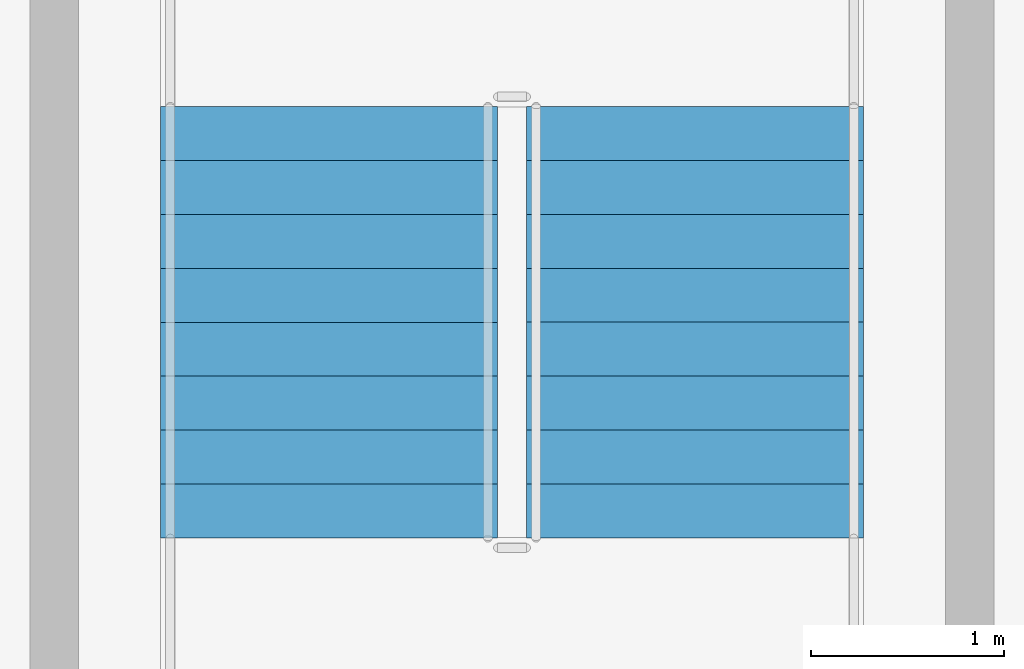
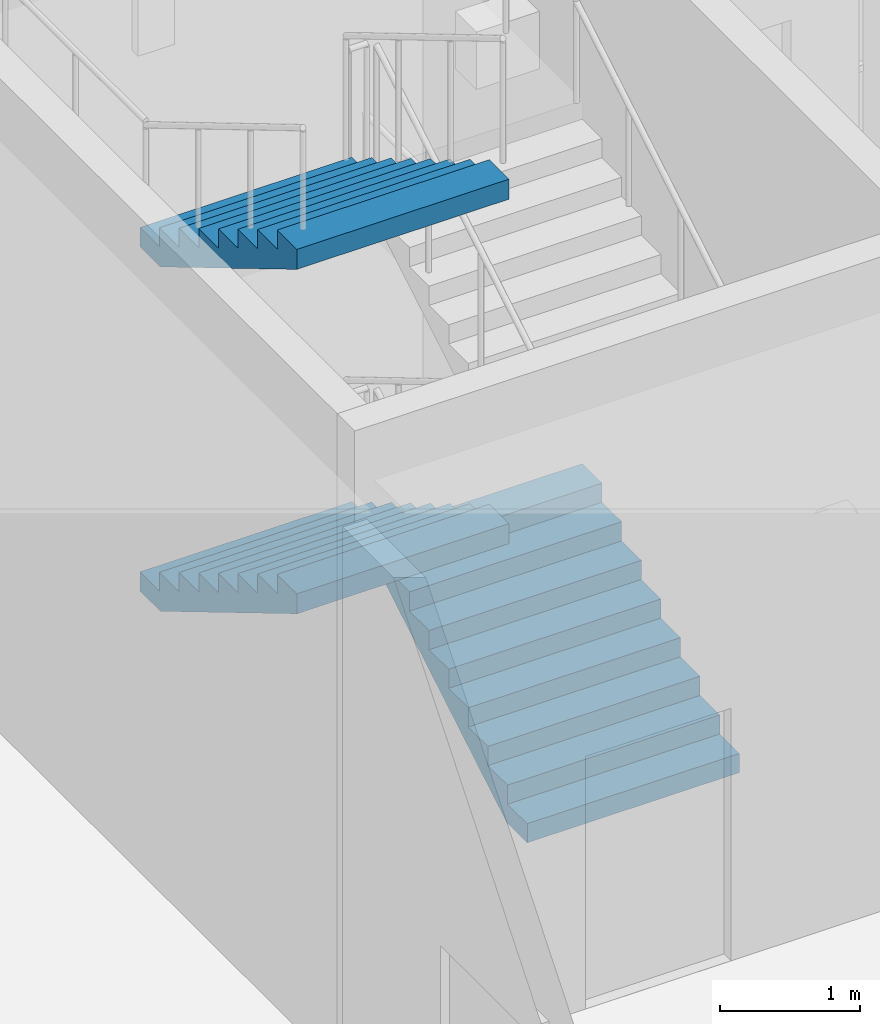
# One storey, part 70 of 125: 3 stair flights, 1 element without a shape of its own.
"""IFC4 building model written with IfcOpenShell, lengths in metres."""

from ifc_helpers import new_model, si_unit, direction, frame, origin, place, context, subcontext, project, spatial, polyline, outline, extrude, material, type_object, element, aggregate, save


model = new_model("IFC4")

# Units and contexts
model_context = context("Model", 3, precision=1e-05, world=origin(), true_north=direction((0.0, 1.0)))
body_context = subcontext(model_context, "Body", "Model", "MODEL_VIEW")
ifc_project = project(units=[si_unit("LENGTHUNIT", "METRE"), si_unit("AREAUNIT", "SQUARE_METRE"), si_unit("VOLUMEUNIT", "CUBIC_METRE"), si_unit("PLANEANGLEUNIT", "RADIAN"), si_unit("MASSUNIT", "GRAM", prefix="KILO")], contexts=[model_context])

# Site, building, storey
site_placement = place(None, origin())
site = spatial("IfcSite", under=ifc_project, at=site_placement, CompositionType="ELEMENT")
building_placement = place(site_placement, origin())
building = spatial("IfcBuilding", under=site, at=building_placement, Name="Sun Court Science Centre", CompositionType="ELEMENT")
storey_placement = place(building_placement, origin())
storey = spatial("IfcBuildingStorey", under=building, at=storey_placement, Name="L00", CompositionType="ELEMENT", Elevation=0.0)

# Stair, stair flights
ifc_material_1 = material(Name="Concrete C25/30", Category="concrete")
stair_type = type_object("IfcStairType", Name="Stair 1500 enclosed half-turn", PredefinedType="HALF_TURN_STAIR", material=ifc_material_1)
stair_placement = place(storey_placement, origin())
stair = element("IfcStair", 1, at=stair_placement, inside=storey, type_object=stair_type, Name="L00 Stair SL4", PredefinedType="HALF_TURN_STAIR")
ifc_material_2 = material(Name="Concrete C25/30", Category="concrete")
stair_flight_type = type_object("IfcStairFlightType", Name="Stair flight 1500 with waist", PredefinedType="STRAIGHT", material=ifc_material_2)
stair_flight_1_placement = place(storey_placement, frame((85.448974609375, 75.498046875, 0.0), z_axis=(0.0, 0.0, 1.0), x_axis=(0.0, 1.0, 0.0)))
stair_flight_1 = element("IfcStairFlight", 2, at=stair_flight_1_placement, type_object=stair_flight_type, Name="SL4 flight 1", NumberOfRisers=9, NumberOfTreads=8, PredefinedType="STRAIGHT", RiserHeight=0.166666667, TreadLength=0.28, context=body_context, shape_type="SweptSolid", body=[
    extrude(outline(polyline([(0.0, 0.0), (0.0, 0.00244140625), (0.0, 0.0048828125), (0.0, 0.00732421875), (0.0, 0.009765625), (0.0, 0.01220703125), (0.0, 0.0146484375), (0.0, 0.01708984375), (0.0, 0.01953125), (0.0, 0.02197265625), (0.0, 0.0244140625), (0.0, 0.02685546875), (0.0, 0.029296875), (0.0, 0.03173828125), (0.0, 0.0341796875), (0.0, 0.03662109375), (0.0, 0.0390625), (0.0, 0.04150390625), (0.0, 0.0439453125), (0.0, 0.04638671875), (0.0, 0.048828125), (0.0, 0.05126953125), (0.0, 0.0537109375), (0.0, 0.05615234375), (0.0, 0.05859375), (0.0, 0.06103515625), (0.0, 0.0634765625), (0.0, 0.06591796875), (0.0, 0.068359375), (0.0, 0.07080078125), (0.0, 0.0732421875), (0.0, 0.07568359375), (0.0, 0.078125), (0.0, 0.08056640625), (0.0, 0.0830078125), (0.0, 0.08544921875), (0.0, 0.087890625), (0.0, 0.09033203125), (0.0, 0.0927734375), (0.0, 0.09521484375), (0.0, 0.09765625), (0.0, 0.10009765625), (0.0, 0.1025390625), (0.0, 0.10498046875), (0.0, 0.107421875), (0.0, 0.10986328125), (0.0, 0.1123046875), (0.0, 0.11474609375), (0.0, 0.1171875), (0.0, 0.11962890625), (0.0, 0.1220703125), (0.0, 0.12451171875), (0.0, 0.126953125), (0.0, 0.12939453125), (0.0, 0.1318359375), (0.0, 0.13427734375), (0.0, 0.13671875), (0.0, 0.13916015625), (0.0, 0.1416015625), (0.0, 0.14404296875), (0.0, 0.146484375), (0.0, 0.14892578125), (0.0, 0.1513671875), (0.0, 0.15380859375), (0.0, 0.15625), (0.0, 0.15869140625), (0.0, 0.1611328125), (0.0, 0.16357421875), (0.0, 0.166748046875), (0.280029296875, 0.166748046875), (0.280029296875, 0.333251953125), (0.56005859375, 0.333251953125), (0.56005859375, 0.5), (0.840087890625, 0.5), (0.840087890625, 0.666748046875), (1.1201171875, 0.666748046875), (1.1201171875, 0.833251953125), (1.39990234375, 0.833251953125), (1.39990234375, 1.0), (1.679931640625, 1.0), (1.679931640625, 1.166748046875), (1.9599609375, 1.166748046875), (1.9599609375, 1.333251953125), (2.239990234375, 1.333251953125), (2.239990234375, 1.335693359375), (2.239990234375, 1.338134765625), (2.239990234375, 1.340576171875), (2.239990234375, 1.343017578125), (2.239990234375, 1.345458984375), (2.239990234375, 1.347900390625), (2.239990234375, 1.350341796875), (2.239990234375, 1.352783203125), (2.239990234375, 1.355224609375), (2.239990234375, 1.357666015625), (2.239990234375, 1.360107421875), (2.239990234375, 1.362548828125), (2.239990234375, 1.364990234375), (2.239990234375, 1.367431640625), (2.239990234375, 1.369873046875), (2.239990234375, 1.372314453125), (2.239990234375, 1.374755859375), (2.239990234375, 1.377197265625), (2.239990234375, 1.379638671875), (2.239990234375, 1.382080078125), (2.239990234375, 1.384521484375), (2.239990234375, 1.386962890625), (2.239990234375, 1.389404296875), (2.239990234375, 1.391845703125), (2.239990234375, 1.394287109375), (2.239990234375, 1.396728515625), (2.239990234375, 1.399169921875), (2.239990234375, 1.401611328125), (2.239990234375, 1.404052734375), (2.239990234375, 1.406494140625), (2.239990234375, 1.408935546875), (2.239990234375, 1.411376953125), (2.239990234375, 1.413818359375), (2.239990234375, 1.416259765625), (2.239990234375, 1.418701171875), (2.239990234375, 1.421142578125), (2.239990234375, 1.423583984375), (2.239990234375, 1.426025390625), (2.239990234375, 1.428466796875), (2.239990234375, 1.430908203125), (2.239990234375, 1.433349609375), (2.239990234375, 1.435791015625), (2.239990234375, 1.438232421875), (2.239990234375, 1.440673828125), (2.239990234375, 1.443115234375), (2.239990234375, 1.445556640625), (2.239990234375, 1.447998046875), (2.239990234375, 1.450439453125), (2.239990234375, 1.452880859375), (2.239990234375, 1.455322265625), (2.239990234375, 1.457763671875), (2.239990234375, 1.460205078125), (2.239990234375, 1.462646484375), (2.239990234375, 1.465087890625), (2.239990234375, 1.467529296875), (2.239990234375, 1.469970703125), (2.239990234375, 1.472412109375), (2.239990234375, 1.474853515625), (2.239990234375, 1.477294921875), (2.239990234375, 1.479736328125), (2.239990234375, 1.482177734375), (2.239990234375, 1.484619140625), (2.239990234375, 1.487060546875), (2.239990234375, 1.489501953125), (2.239990234375, 1.491943359375), (2.239990234375, 1.494384765625), (2.239990234375, 1.496826171875), (2.239990234375, 1.5), (2.239990234375, 1.49755859375), (2.239990234375, 1.4951171875), (2.239990234375, 1.49267578125), (2.239990234375, 1.490234375), (2.239990234375, 1.48779296875), (2.239990234375, 1.4853515625), (2.239990234375, 1.48291015625), (2.239990234375, 1.48046875), (2.239990234375, 1.47802734375), (2.239990234375, 1.4755859375), (2.239990234375, 1.47314453125), (2.239990234375, 1.470703125), (2.239990234375, 1.46826171875), (2.239990234375, 1.4658203125), (2.239990234375, 1.46337890625), (2.239990234375, 1.4609375), (2.239990234375, 1.45849609375), (2.239990234375, 1.4560546875), (2.239990234375, 1.45361328125), (2.239990234375, 1.451171875), (2.239990234375, 1.44873046875), (2.239990234375, 1.4462890625), (2.239990234375, 1.44384765625), (2.239990234375, 1.44140625), (2.239990234375, 1.43896484375), (2.239990234375, 1.4365234375), (2.239990234375, 1.43408203125), (2.239990234375, 1.431640625), (2.239990234375, 1.42919921875), (2.239990234375, 1.4267578125), (2.239990234375, 1.42431640625), (2.239990234375, 1.421875), (2.239990234375, 1.41943359375), (2.239990234375, 1.4169921875), (2.239990234375, 1.41455078125), (2.239990234375, 1.412109375), (2.239990234375, 1.40966796875), (2.239990234375, 1.4072265625), (2.239990234375, 1.40478515625), (2.239990234375, 1.40234375), (2.239990234375, 1.39990234375), (2.239990234375, 1.3974609375), (2.239990234375, 1.39501953125), (2.239990234375, 1.392578125), (2.239990234375, 1.39013671875), (2.239990234375, 1.3876953125), (2.239990234375, 1.38525390625), (2.239990234375, 1.3828125), (2.239990234375, 1.38037109375), (2.239990234375, 1.3779296875), (2.239990234375, 1.37548828125), (2.239990234375, 1.373046875), (2.239990234375, 1.37060546875), (2.239990234375, 1.3681640625), (2.239990234375, 1.36572265625), (2.239990234375, 1.36328125), (2.239990234375, 1.36083984375), (2.239990234375, 1.3583984375), (2.239990234375, 1.35595703125), (2.239990234375, 1.353515625), (2.239990234375, 1.35107421875), (2.239990234375, 1.3486328125), (2.239990234375, 1.34619140625), (2.239990234375, 1.34375), (2.239990234375, 1.34130859375), (2.239990234375, 1.3388671875), (2.239990234375, 1.33642578125), (2.239990234375, 1.333984375), (2.239990234375, 1.33154296875), (2.239990234375, 1.3291015625), (2.239990234375, 1.32666015625), (2.239990234375, 1.32421875), (2.239990234375, 1.32177734375), (2.239990234375, 1.3193359375), (2.239990234375, 1.31689453125), (2.239990234375, 1.314453125), (2.239990234375, 1.31201171875), (2.239990234375, 1.3095703125), (2.239990234375, 1.30712890625), (2.239990234375, 1.3046875), (2.239990234375, 1.30224609375), (2.239990234375, 1.2998046875), (2.239990234375, 1.29736328125), (2.239990234375, 1.294921875), (2.239990234375, 1.29248046875), (2.239990234375, 1.2900390625), (2.239990234375, 1.28759765625), (2.239990234375, 1.28515625), (2.239990234375, 1.28271484375), (2.239990234375, 1.2802734375), (2.239990234375, 1.27783203125), (2.239990234375, 1.275390625), (2.239990234375, 1.27294921875), (2.239990234375, 1.2705078125), (2.239990234375, 1.26806640625), (2.239990234375, 1.265625), (2.239990234375, 1.26318359375), (2.239990234375, 1.2607421875), (2.239990234375, 1.25830078125), (2.239990234375, 1.255859375), (2.239990234375, 1.25341796875), (2.239990234375, 1.2509765625), (2.239990234375, 1.24853515625), (2.239990234375, 1.24609375), (2.239990234375, 1.24365234375), (2.239990234375, 1.2412109375), (2.239990234375, 1.23876953125), (2.239990234375, 1.236328125), (2.239990234375, 1.23388671875), (2.239990234375, 1.2314453125), (2.239990234375, 1.22900390625), (2.239990234375, 1.2265625), (2.239990234375, 1.22412109375), (2.239990234375, 1.2216796875), (2.239990234375, 1.21923828125), (2.239990234375, 1.216796875), (2.239990234375, 1.21435546875), (2.239990234375, 1.2119140625), (2.239990234375, 1.20947265625), (2.239990234375, 1.20703125), (2.239990234375, 1.20458984375), (2.239990234375, 1.2021484375), (2.239990234375, 1.19970703125), (2.239990234375, 1.197265625), (2.239990234375, 1.19482421875), (2.239990234375, 1.1923828125), (2.239990234375, 1.18994140625), (2.239990234375, 1.1875), (2.239990234375, 1.18505859375), (2.239990234375, 1.1826171875), (2.239990234375, 1.18017578125), (2.239990234375, 1.177734375), (2.239990234375, 1.17529296875), (2.239990234375, 1.1728515625), (2.239990234375, 1.17041015625), (2.239990234375, 1.16796875), (2.239990234375, 1.16552734375), (2.239990234375, 1.1630859375), (2.239990234375, 1.158935546875), (0.29296875, 0.0), (0.0, 0.0)])), frame((0.0, 0.8740234375, 0.0), z_axis=(0.0, -1.0, 0.0), x_axis=(1.0, 0.0, 0.0)), (0.0, 0.0, 1.0), 1.748046875),
])
stair_flight_2_placement = place(storey_placement, frame((83.551025390625, 77.738037109375, 1.5), z_axis=(0.0, 0.0, 1.0), x_axis=(0.0, -1.0, 0.0)))
stair_flight_2 = element("IfcStairFlight", 3, at=stair_flight_2_placement, type_object=stair_flight_type, Name="SL4 flight 2", NumberOfRisers=9, NumberOfTreads=8, PredefinedType="STRAIGHT", RiserHeight=0.166666667, TreadLength=0.28, context=body_context, shape_type="SweptSolid", body=[
    extrude(outline(polyline([(0.0, 0.0), (0.0, 0.00244140625), (0.0, 0.0048828125), (0.0, 0.00732421875), (0.0, 0.009765625), (0.0, 0.01220703125), (0.0, 0.0146484375), (0.0, 0.01708984375), (0.0, 0.01953125), (0.0, 0.02197265625), (0.0, 0.0244140625), (0.0, 0.02685546875), (0.0, 0.029296875), (0.0, 0.03173828125), (0.0, 0.0341796875), (0.0, 0.03662109375), (0.0, 0.0390625), (0.0, 0.04150390625), (0.0, 0.0439453125), (0.0, 0.04638671875), (0.0, 0.048828125), (0.0, 0.05126953125), (0.0, 0.0537109375), (0.0, 0.05615234375), (0.0, 0.05859375), (0.0, 0.06103515625), (0.0, 0.0634765625), (0.0, 0.06591796875), (0.0, 0.068359375), (0.0, 0.07080078125), (0.0, 0.0732421875), (0.0, 0.07568359375), (0.0, 0.078125), (0.0, 0.08056640625), (0.0, 0.0830078125), (0.0, 0.08544921875), (0.0, 0.087890625), (0.0, 0.09033203125), (0.0, 0.0927734375), (0.0, 0.09521484375), (0.0, 0.09765625), (0.0, 0.10009765625), (0.0, 0.1025390625), (0.0, 0.10498046875), (0.0, 0.107421875), (0.0, 0.10986328125), (0.0, 0.1123046875), (0.0, 0.11474609375), (0.0, 0.1171875), (0.0, 0.11962890625), (0.0, 0.1220703125), (0.0, 0.12451171875), (0.0, 0.126953125), (0.0, 0.12939453125), (0.0, 0.1318359375), (0.0, 0.13427734375), (0.0, 0.13671875), (0.0, 0.13916015625), (0.0, 0.1416015625), (0.0, 0.14404296875), (0.0, 0.146484375), (0.0, 0.14892578125), (0.0, 0.1513671875), (0.0, 0.15380859375), (0.0, 0.15625), (0.0, 0.15869140625), (0.0, 0.1611328125), (0.0, 0.16357421875), (0.0, 0.166748046875), (0.280029296875, 0.166748046875), (0.280029296875, 0.333251953125), (0.56005859375, 0.333251953125), (0.56005859375, 0.5), (0.840087890625, 0.5), (0.840087890625, 0.666748046875), (1.1201171875, 0.666748046875), (1.1201171875, 0.833251953125), (1.39990234375, 0.833251953125), (1.39990234375, 1.0), (1.679931640625, 1.0), (1.679931640625, 1.166748046875), (1.9599609375, 1.166748046875), (1.9599609375, 1.333251953125), (2.239990234375, 1.333251953125), (2.239990234375, 1.335693359375), (2.239990234375, 1.338134765625), (2.239990234375, 1.340576171875), (2.239990234375, 1.343017578125), (2.239990234375, 1.345458984375), (2.239990234375, 1.347900390625), (2.239990234375, 1.350341796875), (2.239990234375, 1.352783203125), (2.239990234375, 1.355224609375), (2.239990234375, 1.357666015625), (2.239990234375, 1.360107421875), (2.239990234375, 1.362548828125), (2.239990234375, 1.364990234375), (2.239990234375, 1.367431640625), (2.239990234375, 1.369873046875), (2.239990234375, 1.372314453125), (2.239990234375, 1.374755859375), (2.239990234375, 1.377197265625), (2.239990234375, 1.379638671875), (2.239990234375, 1.382080078125), (2.239990234375, 1.384521484375), (2.239990234375, 1.386962890625), (2.239990234375, 1.389404296875), (2.239990234375, 1.391845703125), (2.239990234375, 1.394287109375), (2.239990234375, 1.396728515625), (2.239990234375, 1.399169921875), (2.239990234375, 1.401611328125), (2.239990234375, 1.404052734375), (2.239990234375, 1.406494140625), (2.239990234375, 1.408935546875), (2.239990234375, 1.411376953125), (2.239990234375, 1.413818359375), (2.239990234375, 1.416259765625), (2.239990234375, 1.418701171875), (2.239990234375, 1.421142578125), (2.239990234375, 1.423583984375), (2.239990234375, 1.426025390625), (2.239990234375, 1.428466796875), (2.239990234375, 1.430908203125), (2.239990234375, 1.433349609375), (2.239990234375, 1.435791015625), (2.239990234375, 1.438232421875), (2.239990234375, 1.440673828125), (2.239990234375, 1.443115234375), (2.239990234375, 1.445556640625), (2.239990234375, 1.447998046875), (2.239990234375, 1.450439453125), (2.239990234375, 1.452880859375), (2.239990234375, 1.455322265625), (2.239990234375, 1.457763671875), (2.239990234375, 1.460205078125), (2.239990234375, 1.462646484375), (2.239990234375, 1.465087890625), (2.239990234375, 1.467529296875), (2.239990234375, 1.469970703125), (2.239990234375, 1.472412109375), (2.239990234375, 1.474853515625), (2.239990234375, 1.477294921875), (2.239990234375, 1.479736328125), (2.239990234375, 1.482177734375), (2.239990234375, 1.484619140625), (2.239990234375, 1.487060546875), (2.239990234375, 1.489501953125), (2.239990234375, 1.491943359375), (2.239990234375, 1.494384765625), (2.239990234375, 1.496826171875), (2.239990234375, 1.5), (2.239990234375, 1.49755859375), (2.239990234375, 1.4951171875), (2.239990234375, 1.49267578125), (2.239990234375, 1.490234375), (2.239990234375, 1.48779296875), (2.239990234375, 1.4853515625), (2.239990234375, 1.48291015625), (2.239990234375, 1.48046875), (2.239990234375, 1.47802734375), (2.239990234375, 1.4755859375), (2.239990234375, 1.47314453125), (2.239990234375, 1.470703125), (2.239990234375, 1.46826171875), (2.239990234375, 1.4658203125), (2.239990234375, 1.46337890625), (2.239990234375, 1.4609375), (2.239990234375, 1.45849609375), (2.239990234375, 1.4560546875), (2.239990234375, 1.45361328125), (2.239990234375, 1.451171875), (2.239990234375, 1.44873046875), (2.239990234375, 1.4462890625), (2.239990234375, 1.44384765625), (2.239990234375, 1.44140625), (2.239990234375, 1.43896484375), (2.239990234375, 1.4365234375), (2.239990234375, 1.43408203125), (2.239990234375, 1.431640625), (2.239990234375, 1.42919921875), (2.239990234375, 1.4267578125), (2.239990234375, 1.42431640625), (2.239990234375, 1.421875), (2.239990234375, 1.41943359375), (2.239990234375, 1.4169921875), (2.239990234375, 1.41455078125), (2.239990234375, 1.412109375), (2.239990234375, 1.40966796875), (2.239990234375, 1.4072265625), (2.239990234375, 1.40478515625), (2.239990234375, 1.40234375), (2.239990234375, 1.39990234375), (2.239990234375, 1.3974609375), (2.239990234375, 1.39501953125), (2.239990234375, 1.392578125), (2.239990234375, 1.39013671875), (2.239990234375, 1.3876953125), (2.239990234375, 1.38525390625), (2.239990234375, 1.3828125), (2.239990234375, 1.38037109375), (2.239990234375, 1.3779296875), (2.239990234375, 1.37548828125), (2.239990234375, 1.373046875), (2.239990234375, 1.37060546875), (2.239990234375, 1.3681640625), (2.239990234375, 1.36572265625), (2.239990234375, 1.36328125), (2.239990234375, 1.36083984375), (2.239990234375, 1.3583984375), (2.239990234375, 1.35595703125), (2.239990234375, 1.353515625), (2.239990234375, 1.35107421875), (2.239990234375, 1.3486328125), (2.239990234375, 1.34619140625), (2.239990234375, 1.34375), (2.239990234375, 1.34130859375), (2.239990234375, 1.3388671875), (2.239990234375, 1.33642578125), (2.239990234375, 1.333984375), (2.239990234375, 1.33154296875), (2.239990234375, 1.3291015625), (2.239990234375, 1.32666015625), (2.239990234375, 1.32421875), (2.239990234375, 1.32177734375), (2.239990234375, 1.3193359375), (2.239990234375, 1.31689453125), (2.239990234375, 1.314453125), (2.239990234375, 1.31201171875), (2.239990234375, 1.3095703125), (2.239990234375, 1.30712890625), (2.239990234375, 1.3046875), (2.239990234375, 1.30224609375), (2.239990234375, 1.2998046875), (2.239990234375, 1.29736328125), (2.239990234375, 1.294921875), (2.239990234375, 1.29248046875), (2.239990234375, 1.2900390625), (2.239990234375, 1.28759765625), (2.239990234375, 1.28515625), (2.239990234375, 1.28271484375), (2.239990234375, 1.2802734375), (2.239990234375, 1.27783203125), (2.239990234375, 1.275390625), (2.239990234375, 1.27294921875), (2.239990234375, 1.2705078125), (2.239990234375, 1.26806640625), (2.239990234375, 1.265625), (2.239990234375, 1.26318359375), (2.239990234375, 1.2607421875), (2.239990234375, 1.25830078125), (2.239990234375, 1.255859375), (2.239990234375, 1.25341796875), (2.239990234375, 1.2509765625), (2.239990234375, 1.24853515625), (2.239990234375, 1.24609375), (2.239990234375, 1.24365234375), (2.239990234375, 1.2412109375), (2.239990234375, 1.23876953125), (2.239990234375, 1.236328125), (2.239990234375, 1.23388671875), (2.239990234375, 1.2314453125), (2.239990234375, 1.22900390625), (2.239990234375, 1.2265625), (2.239990234375, 1.22412109375), (2.239990234375, 1.2216796875), (2.239990234375, 1.21923828125), (2.239990234375, 1.216796875), (2.239990234375, 1.21435546875), (2.239990234375, 1.2119140625), (2.239990234375, 1.20947265625), (2.239990234375, 1.20703125), (2.239990234375, 1.20458984375), (2.239990234375, 1.2021484375), (2.239990234375, 1.19970703125), (2.239990234375, 1.197265625), (2.239990234375, 1.19482421875), (2.239990234375, 1.1923828125), (2.239990234375, 1.18994140625), (2.239990234375, 1.1875), (2.239990234375, 1.18505859375), (2.239990234375, 1.1826171875), (2.239990234375, 1.18017578125), (2.239990234375, 1.177734375), (2.239990234375, 1.17529296875), (2.239990234375, 1.1728515625), (2.239990234375, 1.17041015625), (2.239990234375, 1.16796875), (2.239990234375, 1.16552734375), (2.239990234375, 1.1630859375), (2.239990234375, 1.158935546875), (0.29296875, 0.0), (0.0, 0.0)])), frame((0.0, 0.8740234375, 0.0), z_axis=(0.0, -1.0, 0.0), x_axis=(1.0, 0.0, 0.0)), (0.0, 0.0, 1.0), 1.748046875),
])
stair_flight_3_placement = place(storey_placement, frame((83.551025390625, 77.738037109375, 4.5), z_axis=(0.0, 0.0, 1.0), x_axis=(0.0, -1.0, 0.0)))
stair_flight_3 = element("IfcStairFlight", 4, at=stair_flight_3_placement, type_object=stair_flight_type, Name="SL4 flight 4", NumberOfRisers=9, NumberOfTreads=8, PredefinedType="STRAIGHT", RiserHeight=0.166666667, TreadLength=0.28, context=body_context, shape_type="SweptSolid", body=[
    extrude(outline(polyline([(0.0, 0.0), (0.0, 0.00244140625), (0.0, 0.0048828125), (0.0, 0.00732421875), (0.0, 0.009765625), (0.0, 0.01220703125), (0.0, 0.0146484375), (0.0, 0.01708984375), (0.0, 0.01953125), (0.0, 0.02197265625), (0.0, 0.0244140625), (0.0, 0.02685546875), (0.0, 0.029296875), (0.0, 0.03173828125), (0.0, 0.0341796875), (0.0, 0.03662109375), (0.0, 0.0390625), (0.0, 0.04150390625), (0.0, 0.0439453125), (0.0, 0.04638671875), (0.0, 0.048828125), (0.0, 0.05126953125), (0.0, 0.0537109375), (0.0, 0.05615234375), (0.0, 0.05859375), (0.0, 0.06103515625), (0.0, 0.0634765625), (0.0, 0.06591796875), (0.0, 0.068359375), (0.0, 0.07080078125), (0.0, 0.0732421875), (0.0, 0.07568359375), (0.0, 0.078125), (0.0, 0.08056640625), (0.0, 0.0830078125), (0.0, 0.08544921875), (0.0, 0.087890625), (0.0, 0.09033203125), (0.0, 0.0927734375), (0.0, 0.09521484375), (0.0, 0.09765625), (0.0, 0.10009765625), (0.0, 0.1025390625), (0.0, 0.10498046875), (0.0, 0.107421875), (0.0, 0.10986328125), (0.0, 0.1123046875), (0.0, 0.11474609375), (0.0, 0.1171875), (0.0, 0.11962890625), (0.0, 0.1220703125), (0.0, 0.12451171875), (0.0, 0.126953125), (0.0, 0.12939453125), (0.0, 0.1318359375), (0.0, 0.13427734375), (0.0, 0.13671875), (0.0, 0.13916015625), (0.0, 0.1416015625), (0.0, 0.14404296875), (0.0, 0.146484375), (0.0, 0.14892578125), (0.0, 0.1513671875), (0.0, 0.15380859375), (0.0, 0.15625), (0.0, 0.15869140625), (0.0, 0.1611328125), (0.0, 0.16357421875), (0.0, 0.166748046875), (0.280029296875, 0.166748046875), (0.280029296875, 0.333251953125), (0.56005859375, 0.333251953125), (0.56005859375, 0.5), (0.840087890625, 0.5), (0.840087890625, 0.666748046875), (1.1201171875, 0.666748046875), (1.1201171875, 0.833251953125), (1.39990234375, 0.833251953125), (1.39990234375, 1.0), (1.679931640625, 1.0), (1.679931640625, 1.166748046875), (1.9599609375, 1.166748046875), (1.9599609375, 1.333251953125), (2.239990234375, 1.333251953125), (2.239990234375, 1.335693359375), (2.239990234375, 1.338134765625), (2.239990234375, 1.340576171875), (2.239990234375, 1.343017578125), (2.239990234375, 1.345458984375), (2.239990234375, 1.347900390625), (2.239990234375, 1.350341796875), (2.239990234375, 1.352783203125), (2.239990234375, 1.355224609375), (2.239990234375, 1.357666015625), (2.239990234375, 1.360107421875), (2.239990234375, 1.362548828125), (2.239990234375, 1.364990234375), (2.239990234375, 1.367431640625), (2.239990234375, 1.369873046875), (2.239990234375, 1.372314453125), (2.239990234375, 1.374755859375), (2.239990234375, 1.377197265625), (2.239990234375, 1.379638671875), (2.239990234375, 1.382080078125), (2.239990234375, 1.384521484375), (2.239990234375, 1.386962890625), (2.239990234375, 1.389404296875), (2.239990234375, 1.391845703125), (2.239990234375, 1.394287109375), (2.239990234375, 1.396728515625), (2.239990234375, 1.399169921875), (2.239990234375, 1.401611328125), (2.239990234375, 1.404052734375), (2.239990234375, 1.406494140625), (2.239990234375, 1.408935546875), (2.239990234375, 1.411376953125), (2.239990234375, 1.413818359375), (2.239990234375, 1.416259765625), (2.239990234375, 1.418701171875), (2.239990234375, 1.421142578125), (2.239990234375, 1.423583984375), (2.239990234375, 1.426025390625), (2.239990234375, 1.428466796875), (2.239990234375, 1.430908203125), (2.239990234375, 1.433349609375), (2.239990234375, 1.435791015625), (2.239990234375, 1.438232421875), (2.239990234375, 1.440673828125), (2.239990234375, 1.443115234375), (2.239990234375, 1.445556640625), (2.239990234375, 1.447998046875), (2.239990234375, 1.450439453125), (2.239990234375, 1.452880859375), (2.239990234375, 1.455322265625), (2.239990234375, 1.457763671875), (2.239990234375, 1.460205078125), (2.239990234375, 1.462646484375), (2.239990234375, 1.465087890625), (2.239990234375, 1.467529296875), (2.239990234375, 1.469970703125), (2.239990234375, 1.472412109375), (2.239990234375, 1.474853515625), (2.239990234375, 1.477294921875), (2.239990234375, 1.479736328125), (2.239990234375, 1.482177734375), (2.239990234375, 1.484619140625), (2.239990234375, 1.487060546875), (2.239990234375, 1.489501953125), (2.239990234375, 1.491943359375), (2.239990234375, 1.494384765625), (2.239990234375, 1.496826171875), (2.239990234375, 1.5), (2.239990234375, 1.49755859375), (2.239990234375, 1.4951171875), (2.239990234375, 1.49267578125), (2.239990234375, 1.490234375), (2.239990234375, 1.48779296875), (2.239990234375, 1.4853515625), (2.239990234375, 1.48291015625), (2.239990234375, 1.48046875), (2.239990234375, 1.47802734375), (2.239990234375, 1.4755859375), (2.239990234375, 1.47314453125), (2.239990234375, 1.470703125), (2.239990234375, 1.46826171875), (2.239990234375, 1.4658203125), (2.239990234375, 1.46337890625), (2.239990234375, 1.4609375), (2.239990234375, 1.45849609375), (2.239990234375, 1.4560546875), (2.239990234375, 1.45361328125), (2.239990234375, 1.451171875), (2.239990234375, 1.44873046875), (2.239990234375, 1.4462890625), (2.239990234375, 1.44384765625), (2.239990234375, 1.44140625), (2.239990234375, 1.43896484375), (2.239990234375, 1.4365234375), (2.239990234375, 1.43408203125), (2.239990234375, 1.431640625), (2.239990234375, 1.42919921875), (2.239990234375, 1.4267578125), (2.239990234375, 1.42431640625), (2.239990234375, 1.421875), (2.239990234375, 1.41943359375), (2.239990234375, 1.4169921875), (2.239990234375, 1.41455078125), (2.239990234375, 1.412109375), (2.239990234375, 1.40966796875), (2.239990234375, 1.4072265625), (2.239990234375, 1.40478515625), (2.239990234375, 1.40234375), (2.239990234375, 1.39990234375), (2.239990234375, 1.3974609375), (2.239990234375, 1.39501953125), (2.239990234375, 1.392578125), (2.239990234375, 1.39013671875), (2.239990234375, 1.3876953125), (2.239990234375, 1.38525390625), (2.239990234375, 1.3828125), (2.239990234375, 1.38037109375), (2.239990234375, 1.3779296875), (2.239990234375, 1.37548828125), (2.239990234375, 1.373046875), (2.239990234375, 1.37060546875), (2.239990234375, 1.3681640625), (2.239990234375, 1.36572265625), (2.239990234375, 1.36328125), (2.239990234375, 1.36083984375), (2.239990234375, 1.3583984375), (2.239990234375, 1.35595703125), (2.239990234375, 1.353515625), (2.239990234375, 1.35107421875), (2.239990234375, 1.3486328125), (2.239990234375, 1.34619140625), (2.239990234375, 1.34375), (2.239990234375, 1.34130859375), (2.239990234375, 1.3388671875), (2.239990234375, 1.33642578125), (2.239990234375, 1.333984375), (2.239990234375, 1.33154296875), (2.239990234375, 1.3291015625), (2.239990234375, 1.32666015625), (2.239990234375, 1.32421875), (2.239990234375, 1.32177734375), (2.239990234375, 1.3193359375), (2.239990234375, 1.31689453125), (2.239990234375, 1.314453125), (2.239990234375, 1.31201171875), (2.239990234375, 1.3095703125), (2.239990234375, 1.30712890625), (2.239990234375, 1.3046875), (2.239990234375, 1.30224609375), (2.239990234375, 1.2998046875), (2.239990234375, 1.29736328125), (2.239990234375, 1.294921875), (2.239990234375, 1.29248046875), (2.239990234375, 1.2900390625), (2.239990234375, 1.28759765625), (2.239990234375, 1.28515625), (2.239990234375, 1.28271484375), (2.239990234375, 1.2802734375), (2.239990234375, 1.27783203125), (2.239990234375, 1.275390625), (2.239990234375, 1.27294921875), (2.239990234375, 1.2705078125), (2.239990234375, 1.26806640625), (2.239990234375, 1.265625), (2.239990234375, 1.26318359375), (2.239990234375, 1.2607421875), (2.239990234375, 1.25830078125), (2.239990234375, 1.255859375), (2.239990234375, 1.25341796875), (2.239990234375, 1.2509765625), (2.239990234375, 1.24853515625), (2.239990234375, 1.24609375), (2.239990234375, 1.24365234375), (2.239990234375, 1.2412109375), (2.239990234375, 1.23876953125), (2.239990234375, 1.236328125), (2.239990234375, 1.23388671875), (2.239990234375, 1.2314453125), (2.239990234375, 1.22900390625), (2.239990234375, 1.2265625), (2.239990234375, 1.22412109375), (2.239990234375, 1.2216796875), (2.239990234375, 1.21923828125), (2.239990234375, 1.216796875), (2.239990234375, 1.21435546875), (2.239990234375, 1.2119140625), (2.239990234375, 1.20947265625), (2.239990234375, 1.20703125), (2.239990234375, 1.20458984375), (2.239990234375, 1.2021484375), (2.239990234375, 1.19970703125), (2.239990234375, 1.197265625), (2.239990234375, 1.19482421875), (2.239990234375, 1.1923828125), (2.239990234375, 1.18994140625), (2.239990234375, 1.1875), (2.239990234375, 1.18505859375), (2.239990234375, 1.1826171875), (2.239990234375, 1.18017578125), (2.239990234375, 1.177734375), (2.239990234375, 1.17529296875), (2.239990234375, 1.1728515625), (2.239990234375, 1.17041015625), (2.239990234375, 1.16796875), (2.239990234375, 1.16552734375), (2.239990234375, 1.1630859375), (2.239990234375, 1.158935546875), (0.29296875, 0.0), (0.0, 0.0)])), frame((0.0, 0.8740234375, 0.0), z_axis=(0.0, -1.0, 0.0), x_axis=(1.0, 0.0, 0.0)), (0.0, 0.0, 1.0), 1.748046875),
])
aggregate(stair, [stair_flight_1, stair_flight_2, stair_flight_3])

save(model, "model.ifc")
